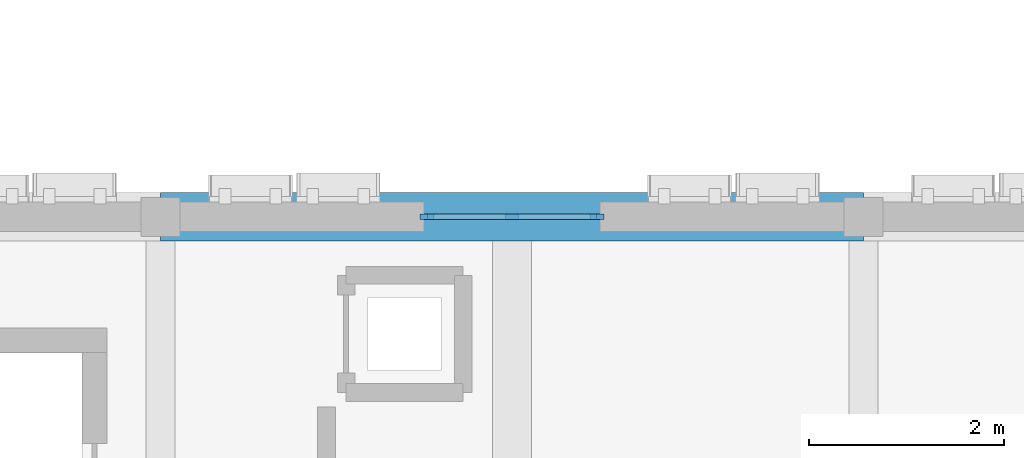
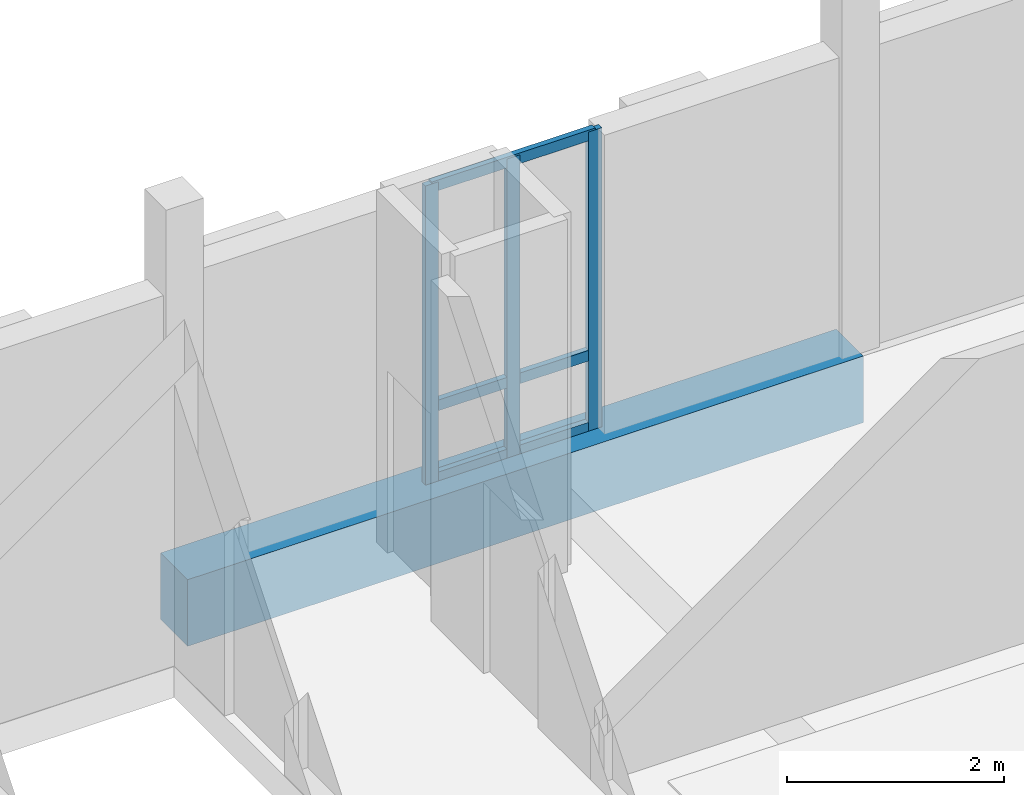
# One storey, part 16 of 99: 6 members, 1 beam, 1 element without a shape of its own.
"""IFC4 building model written with IfcOpenShell, lengths in metres."""

import ifcopenshell
import ifcopenshell.guid

model = None  # the IFC model being written
_history = None  # IfcOwnerHistory: only IFC2X3 demands one
_inside = {}  # id of a spatial element -> (the spatial element, [elements in it])
_under = {}  # id of a project, library or spatial element -> (it, [spatial elements below it])
_declared = {}  # id of a project -> (the project, [libraries it declares])
_typed = {}  # id of a type object -> (the type object, [elements of that type])
_made_of = {}  # id of a material, layer set ... -> (it, [elements and type objects made of it])


def new_model(schema):
    """Start an empty IFC model of exactly this schema.

    Asked for "IFC4X3", IfcOpenShell would pick the latest addendum, in which some entities
    have other attributes; the version numbers below select the first issue.
    IFC2X3 requires an IfcOwnerHistory on every rooted entity: one is made here for all.
    """
    global model, _history
    if schema == "IFC4X3":
        model = ifcopenshell.file(schema_version=(4, 3, 0, 0))
    else:
        model = ifcopenshell.file(schema=schema)
    _inside.clear()
    _under.clear()
    _declared.clear()
    _typed.clear()
    _made_of.clear()
    _history = None
    if model.schema == "IFC2X3":
        org = make("IfcOrganization", Name="unknown")
        user = make(
            "IfcPersonAndOrganization",
            ThePerson=make("IfcPerson", FamilyName="unknown"),
            TheOrganization=org,
        )
        app = make(
            "IfcApplication",
            ApplicationDeveloper=org,
            Version="unknown",
            ApplicationFullName="unknown",
            ApplicationIdentifier="unknown",
        )
        _history = make(
            "IfcOwnerHistory",
            OwningUser=user,
            OwningApplication=app,
            ChangeAction="ADDED",
            CreationDate=0,
        )
    return model


def make(cls, **values):
    """One entity of the class cls with the attributes given. An attribute that is None is left unset."""
    return model.create_entity(
        cls, **{name: value for name, value in values.items() if value is not None}
    )


def rooted(cls, **values):
    """An entity with a GlobalId (a new one), such as an element, a storey or a relation."""
    return make(cls, GlobalId=ifcopenshell.guid.new(), OwnerHistory=_history, **values)


def si_unit(unit_type, name, prefix=None):
    """IfcSIUnit, for example si_unit("LENGTHUNIT", "METRE", prefix="MILLI")."""
    return make("IfcSIUnit", UnitType=unit_type, Prefix=prefix, Name=name)


def assignment(units):
    """IfcUnitAssignment: the units of a project."""
    return None if units is None else make("IfcUnitAssignment", Units=units)


def point(xyz):
    """IfcCartesianPoint."""
    return None if xyz is None else make("IfcCartesianPoint", Coordinates=xyz)


def direction(xyz):
    """IfcDirection."""
    return None if xyz is None else make("IfcDirection", DirectionRatios=xyz)


def frame(location, z_axis=None, x_axis=None):
    """IfcAxis2Placement3D, a coordinate frame: its origin and axes. An axis left out is left unset."""
    return make(
        "IfcAxis2Placement3D",
        Location=point(location),
        Axis=direction(z_axis),
        RefDirection=direction(x_axis),
    )


def frame_2d(location, x_axis=None):
    """IfcAxis2Placement2D, a coordinate frame in the plane: its origin and x axis."""
    return make(
        "IfcAxis2Placement2D", Location=point(location), RefDirection=direction(x_axis)
    )


def origin():
    """The frame at (0, 0, 0) with its axes left unset."""
    return frame((0.0, 0.0, 0.0))


def origin_2d():
    """The frame at (0, 0) in the plane with its x axis left unset."""
    return frame_2d((0.0, 0.0))


def place(relative_to, where):
    """IfcLocalPlacement: puts the frame where relative to a parent placement (None: the world)."""
    return make(
        "IfcLocalPlacement", PlacementRelTo=relative_to, RelativePlacement=where
    )


def context(
    kind, dimensions, precision=None, world=None, true_north=None, identifier=None
):
    """IfcGeometricRepresentationContext, for example the 3D "Model" context."""
    return make(
        "IfcGeometricRepresentationContext",
        ContextIdentifier=identifier,
        ContextType=kind,
        CoordinateSpaceDimension=dimensions,
        Precision=precision,
        WorldCoordinateSystem=world,
        TrueNorth=true_north,
    )


def subcontext(parent, identifier, kind, view, scale=None):
    """IfcGeometricRepresentationSubContext, for example "Body" below "Model"."""
    return make(
        "IfcGeometricRepresentationSubContext",
        ContextIdentifier=identifier,
        ContextType=kind,
        ParentContext=parent,
        TargetScale=scale,
        TargetView=view,
    )


def project(units=None, contexts=None):
    """IfcProject with its units and contexts."""
    return rooted(
        "IfcProject",
        Name="project",
        RepresentationContexts=contexts,
        UnitsInContext=assignment(units),
    )


def spatial(cls, under=None, at=None, **own):
    """A site, building, storey or space (cls), placed at a placement, below another one or the project."""
    s = rooted(cls, ObjectPlacement=at, **own)
    if under is not None:
        _under.setdefault(under.id(), (under, []))[1].append(s)
    return s


def profile(cls, at=None, kind="AREA", **sizes):
    """A parametric profile (cls). Its sizes go by their IFC names, for example OverallWidth=200.0."""
    return make(cls, ProfileType=kind, Position=at, **sizes)


def rectangle(**sizes):
    """IfcRectangleProfileDef."""
    return profile("IfcRectangleProfileDef", **sizes)


def extrude(swept, where, along, depth):
    """IfcExtrudedAreaSolid: the profile swept, set in the frame where, extruded along a direction by depth."""
    return make(
        "IfcExtrudedAreaSolid",
        SweptArea=swept,
        Position=where,
        ExtrudedDirection=direction(along),
        Depth=depth,
    )


def shape(context_of_items, identifier, shape_type, items):
    """IfcShapeRepresentation: the items that make up one representation, for example the "Body"."""
    return make(
        "IfcShapeRepresentation",
        ContextOfItems=context_of_items,
        RepresentationIdentifier=identifier,
        RepresentationType=shape_type,
        Items=items,
    )


def material(Name=None, Category=None):
    """IfcMaterial."""
    return make("IfcMaterial", Name=Name, Category=Category)


def material_profile(
    of_material, cross_section, Name=None, Category=None, Priority=None
):
    """IfcMaterialProfile: a cross section and its material."""
    return make(
        "IfcMaterialProfile",
        Name=Name,
        Material=of_material,
        Profile=cross_section,
        Priority=Priority,
        Category=Category,
    )


def profile_set(profiles, Name=None, composite=None):
    """IfcMaterialProfileSet."""
    return make(
        "IfcMaterialProfileSet",
        Name=Name,
        MaterialProfiles=profiles,
        CompositeProfile=composite,
    )


def made_of(thing, what):
    """Note that an element or type object is made of a material, layer set ...; save() writes the relation."""
    if what is not None:
        _made_of.setdefault(what.id(), (what, []))[1].append(thing)
    return thing


def type_object(cls, material=None, **own):
    """A type object (cls), such as IfcWallType, which elements share."""
    return made_of(rooted(cls, **own), material)


def element(
    cls,
    number,
    at=None,
    inside=None,
    cuts=None,
    type_object=None,
    material=None,
    context=None,
    identifier="Body",
    shape_type=None,
    held_by="IfcProductDefinitionShape",
    body=None,
    shapes=None,
    **own,
):
    """One element of the class cls, such as IfcWall. Its Tag is "e" and its number.

    at: its placement. inside: the storey or other place that contains it. cuts: it is an
    opening in that element (IfcRelVoidsElement). A single representation is given by context,
    identifier, shape_type and body (its items); several are given by shapes. held_by: the class
    of the entity that holds the representations. save() writes the other relations.
    """
    e = rooted(cls, Tag="e%d" % number, ObjectPlacement=at, **own)
    if body is not None:
        shapes = [shape(context, identifier, shape_type, body)]
    if shapes is not None:
        e.Representation = make(held_by, Representations=shapes)
    if inside is not None:
        _inside.setdefault(inside.id(), (inside, []))[1].append(e)
    if cuts is not None:
        rooted(
            "IfcRelVoidsElement", RelatingBuildingElement=cuts, RelatedOpeningElement=e
        )
    if type_object is not None:
        _typed.setdefault(type_object.id(), (type_object, []))[1].append(e)
    return made_of(e, material)


def aggregate(whole, parts):
    """IfcRelAggregates: a whole, such as a stair, and the parts it consists of."""
    return rooted("IfcRelAggregates", RelatingObject=whole, RelatedObjects=parts)


def save(model, path):
    """Write the relations noted so far, then the file.

    IfcRelAggregates (storeys below a building ...), IfcRelContainedInSpatialStructure (elements
    in a storey), IfcRelDefinesByType, IfcRelAssociatesMaterial and IfcRelDeclares: one each for
    every whole, place, type object, material and project.
    """
    for whole, parts in _under.values():
        aggregate(whole, parts)
    for where, things in _inside.values():
        rooted(
            "IfcRelContainedInSpatialStructure",
            RelatedElements=things,
            RelatingStructure=where,
        )
    for kind, things in _typed.values():
        rooted("IfcRelDefinesByType", RelatedObjects=things, RelatingType=kind)
    for what, things in _made_of.values():
        rooted("IfcRelAssociatesMaterial", RelatedObjects=things, RelatingMaterial=what)
    for by, libraries in _declared.values():
        rooted("IfcRelDeclares", RelatingContext=by, RelatedDefinitions=libraries)
    model.write(path)


model = new_model("IFC4")

# Units and contexts
model_context = context("Model", 3, precision=1e-05, world=origin(), true_north=direction((0.0, 1.0)))
body_context = subcontext(model_context, "Body", "Model", "MODEL_VIEW")
ifc_project = project(units=[si_unit("LENGTHUNIT", "METRE"), si_unit("AREAUNIT", "SQUARE_METRE"), si_unit("VOLUMEUNIT", "CUBIC_METRE"), si_unit("PLANEANGLEUNIT", "RADIAN"), si_unit("MASSUNIT", "GRAM", prefix="KILO")], contexts=[model_context])

# Site, building, storey
site_placement = place(None, origin())
site = spatial("IfcSite", under=ifc_project, at=site_placement, CompositionType="ELEMENT")
building_placement = place(site_placement, origin())
building = spatial("IfcBuilding", under=site, at=building_placement, Name="Kahlenmark Community Centre", CompositionType="ELEMENT")
storey_placement = place(building_placement, frame((0.0, 0.0, 5.39990234375)))
storey = spatial("IfcBuildingStorey", under=building, at=storey_placement, Name="L01", CompositionType="ELEMENT", Elevation=5.39990234375)

# Beam
ifc_material_1 = material(Name="Concrete C35/45", Category="concrete")
ifc_material_profile_1 = material_profile(ifc_material_1, rectangle(XDim=0.5, YDim=0.75, at=origin_2d()), Name="RC 500x750")
ifc_profile_set_1 = profile_set([ifc_material_profile_1], Name="Concrete C35/45")
beam_type = type_object("IfcBeamType", Name="BT-SPANDREL-RC500x750", PredefinedType="SPANDREL", material=ifc_profile_set_1)
beam_placement = place(storey_placement, frame((58.0, 23.199951171875, -0.375), z_axis=(1.0, 0.0, 0.0), x_axis=(0.0, 1.0, 0.0)))
element("IfcBeam", 1, at=beam_placement, inside=storey, type_object=beam_type, Name="L01 spandrel SP-RC500x750", PredefinedType="SPANDREL", context=body_context, shape_type="SweptSolid", body=[
    extrude(rectangle(XDim=0.5, YDim=0.75, at=origin_2d()), origin(), (0.0, 0.0, 1.0), 7.199951171875),
])

# Curtain wall, members
ifc_material_2 = material(Name="Anodised aluminium unitised curtain wall", Category="aluminium")
curtain_wall_type = type_object("IfcCurtainWallType", Name="CWT-UNIT-180X337", PredefinedType="USERDEFINED", material=ifc_material_2)
curtain_wall_placement = place(storey_placement, origin())
curtain_wall = element("IfcCurtainWall", 2, at=curtain_wall_placement, inside=storey, type_object=curtain_wall_type, Name="Unitised curtain wall CW-024", ObjectType="UNITISED CURTAIN WALL", PredefinedType="USERDEFINED")
ifc_material_3 = material(Name="Anodised aluminium 6063-T6", Category="aluminium")
ifc_material_profile_2 = material_profile(ifc_material_3, rectangle(XDim=0.06005859375, YDim=0.139892578125, at=origin_2d()), Name="ALU MULLION 60x140")
ifc_profile_set_2 = profile_set([ifc_material_profile_2], Name="Anodised aluminium 6063-T6")
member_type_1 = type_object("IfcMemberType", Name="MT-MUL-140", PredefinedType="MULLION", material=ifc_profile_set_2)
member_1_placement = place(storey_placement, frame((62.469970703125, 23.199951171875, 0.0), z_axis=(0.0, 0.0, 1.0), x_axis=(0.0, -1.0, 0.0)))
member_1 = element("IfcMember", 3, at=member_1_placement, type_object=member_type_1, Name="CW-024 mullion 1", PredefinedType="MULLION", context=body_context, shape_type="SweptSolid", body=[
    extrude(rectangle(XDim=0.06005859375, YDim=0.139892578125, at=origin_2d()), origin(), (0.0, 0.0, 1.0), 3.3701171875),
])
member_2_placement = place(storey_placement, frame((61.60009765625, 23.199951171875, 0.0), z_axis=(0.0, 0.0, 1.0), x_axis=(0.0, -1.0, 0.0)))
member_2 = element("IfcMember", 4, at=member_2_placement, type_object=member_type_1, Name="CW-024 mullion 2", PredefinedType="MULLION", context=body_context, shape_type="SweptSolid", body=[
    extrude(rectangle(XDim=0.06005859375, YDim=0.139892578125, at=origin_2d()), origin(), (0.0, 0.0, 1.0), 3.3701171875),
])
member_3_placement = place(storey_placement, frame((60.72998046875, 23.199951171875, 0.0), z_axis=(0.0, 0.0, 1.0), x_axis=(0.0, -1.0, 0.0)))
member_3 = element("IfcMember", 5, at=member_3_placement, type_object=member_type_1, Name="CW-024 mullion 3", PredefinedType="MULLION", context=body_context, shape_type="SweptSolid", body=[
    extrude(rectangle(XDim=0.06005859375, YDim=0.139892578125, at=origin_2d()), origin(), (0.0, 0.0, 1.0), 3.3701171875),
])
ifc_material_profile_3 = material_profile(ifc_material_3, rectangle(XDim=0.06005859375, YDim=0.1201171875, at=origin_2d()), Name="ALU TRANSOM 60x120")
ifc_profile_set_3 = profile_set([ifc_material_profile_3], Name="Anodised aluminium 6063-T6")
member_type_2 = type_object("IfcMemberType", Name="MT-TRN-120", PredefinedType="USERDEFINED", material=ifc_profile_set_3)
member_4_placement = place(storey_placement, frame((62.469970703125, 23.199951171875, 0.0400390625), z_axis=(-1.0, 0.0, 0.0), x_axis=(0.0, -1.0, 0.0)))
member_4 = element("IfcMember", 6, at=member_4_placement, type_object=member_type_2, Name="CW-024 transom 1", ObjectType="TRANSOM", PredefinedType="USERDEFINED", context=body_context, shape_type="SweptSolid", body=[
    extrude(rectangle(XDim=0.06005859375, YDim=0.1201171875, at=origin_2d()), origin(), (0.0, 0.0, 1.0), 1.739990234375),
])
member_5_placement = place(storey_placement, frame((62.469970703125, 23.199951171875, 0.85009765625), z_axis=(-1.0, 0.0, 0.0), x_axis=(0.0, -1.0, 0.0)))
member_5 = element("IfcMember", 7, at=member_5_placement, type_object=member_type_2, Name="CW-024 transom 2", ObjectType="TRANSOM", PredefinedType="USERDEFINED", context=body_context, shape_type="SweptSolid", body=[
    extrude(rectangle(XDim=0.06005859375, YDim=0.1201171875, at=origin_2d()), origin(), (0.0, 0.0, 1.0), 1.739990234375),
])
member_6_placement = place(storey_placement, frame((62.469970703125, 23.199951171875, 3.330078125), z_axis=(-1.0, 0.0, 0.0), x_axis=(0.0, -1.0, 0.0)))
member_6 = element("IfcMember", 8, at=member_6_placement, type_object=member_type_2, Name="CW-024 transom 3", ObjectType="TRANSOM", PredefinedType="USERDEFINED", context=body_context, shape_type="SweptSolid", body=[
    extrude(rectangle(XDim=0.06005859375, YDim=0.1201171875, at=origin_2d()), origin(), (0.0, 0.0, 1.0), 1.739990234375),
])
aggregate(curtain_wall, [member_1, member_2, member_3, member_4, member_5, member_6])

save(model, "model.ifc")
